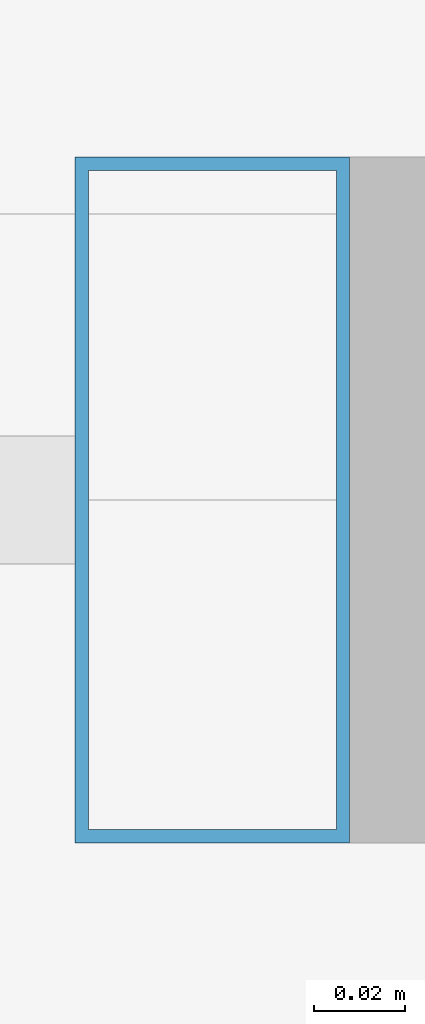
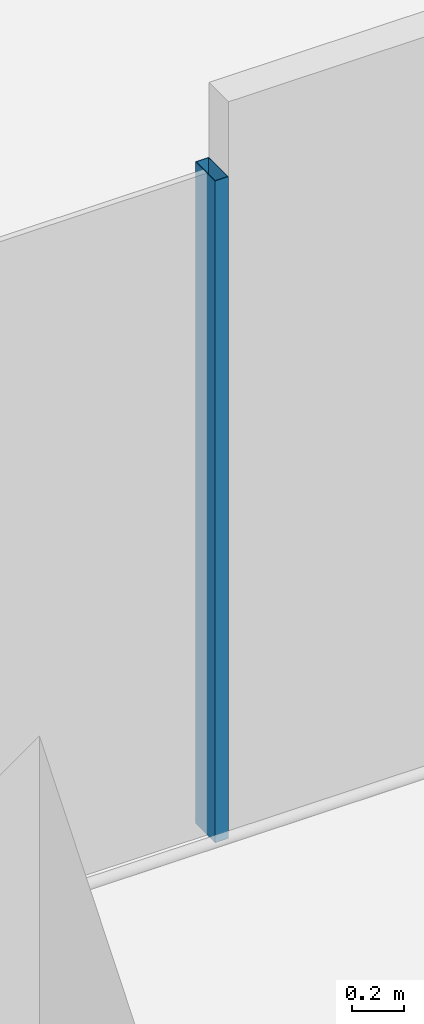
# One storey, part 7 of 56: 1 member, 1 element without a shape of its own.
"""IFC4 building model written with IfcOpenShell, lengths in metres."""

from ifc_helpers import new_model, si_unit, direction, frame, origin, origin_2d, place, context, subcontext, project, spatial, hollow_rectangle, extrude, material, material_profile, profile_set, type_object, element, aggregate, save


model = new_model("IFC4")

# Units and contexts
model_context = context("Model", 3, precision=1e-05, world=origin(), true_north=direction((0.0, 1.0)))
body_context = subcontext(model_context, "Body", "Model", "MODEL_VIEW")
ifc_project = project(units=[si_unit("LENGTHUNIT", "METRE"), si_unit("AREAUNIT", "SQUARE_METRE"), si_unit("VOLUMEUNIT", "CUBIC_METRE"), si_unit("PLANEANGLEUNIT", "RADIAN"), si_unit("MASSUNIT", "GRAM", prefix="KILO")], contexts=[model_context])

# Site, building, storey
site_placement = place(None, origin())
site = spatial("IfcSite", under=ifc_project, at=site_placement, CompositionType="ELEMENT")
building_placement = place(site_placement, origin())
building = spatial("IfcBuilding", under=site, at=building_placement, Name="Altepetl Exchange Towers", CompositionType="ELEMENT")
storey_placement = place(building_placement, frame((0.0, 0.0, 72.60009765625)))
storey = spatial("IfcBuildingStorey", under=building, at=storey_placement, Name="L17", CompositionType="ELEMENT", Elevation=72.60009765625)

# Curtain wall, member
ifc_material_1 = material(Name="Aluminium 6063-T6 glazing", Category="aluminium")
curtain_wall_type = type_object("IfcCurtainWallType", Name="Loggia glazing system", PredefinedType="NOTDEFINED", material=ifc_material_1)
curtain_wall_placement = place(storey_placement, origin())
curtain_wall = element("IfcCurtainWall", 1, at=curtain_wall_placement, inside=storey, type_object=curtain_wall_type, Name="CW1 run", PredefinedType="NOTDEFINED")
ifc_material_2 = material(Name="Aluminium 6063-T6", Category="aluminium")
ifc_material_profile = material_profile(ifc_material_2, hollow_rectangle(XDim=0.06005859375, YDim=0.14990234375, WallThickness=0.0029296875, at=origin_2d()), Name="Mullion 60x150 aluminium")
ifc_profile_set = profile_set([ifc_material_profile], Name="Aluminium 6063-T6")
member_type = type_object("IfcMemberType", Name="Mullion 60x150 aluminium", PredefinedType="MULLION", material=ifc_profile_set)
member_placement = place(storey_placement, frame((47.152099609375, 29.0, 0.0)))
member = element("IfcMember", 2, at=member_placement, type_object=member_type, Name="MU1 mullion", PredefinedType="MULLION", context=body_context, shape_type="SweptSolid", body=[
    extrude(hollow_rectangle(XDim=0.06005859375, YDim=0.14990234375, WallThickness=0.0029296875, at=origin_2d()), origin(), (0.0, 0.0, 1.0), 3.099853515625),
])
aggregate(curtain_wall, [member])

save(model, "model.ifc")
